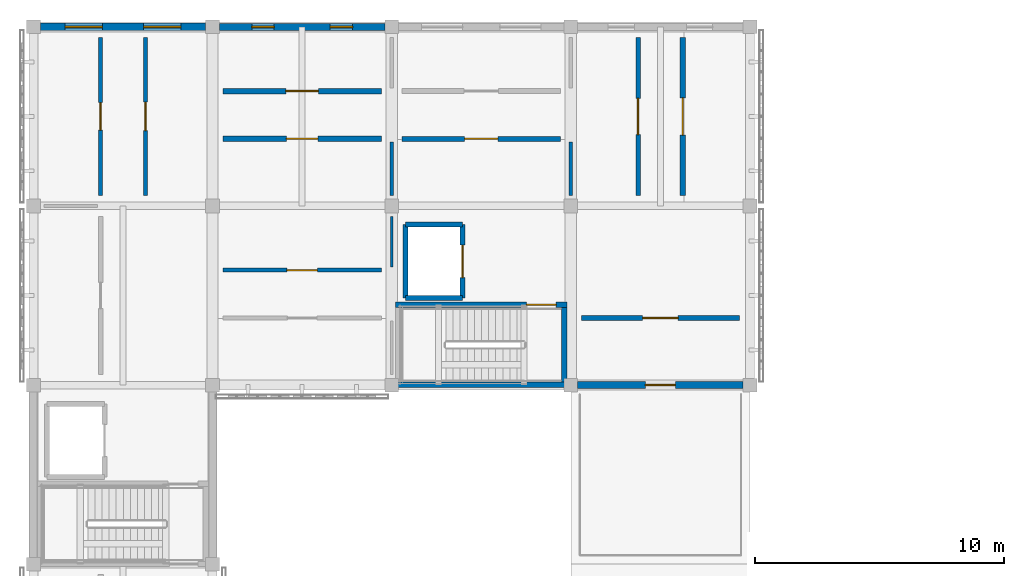
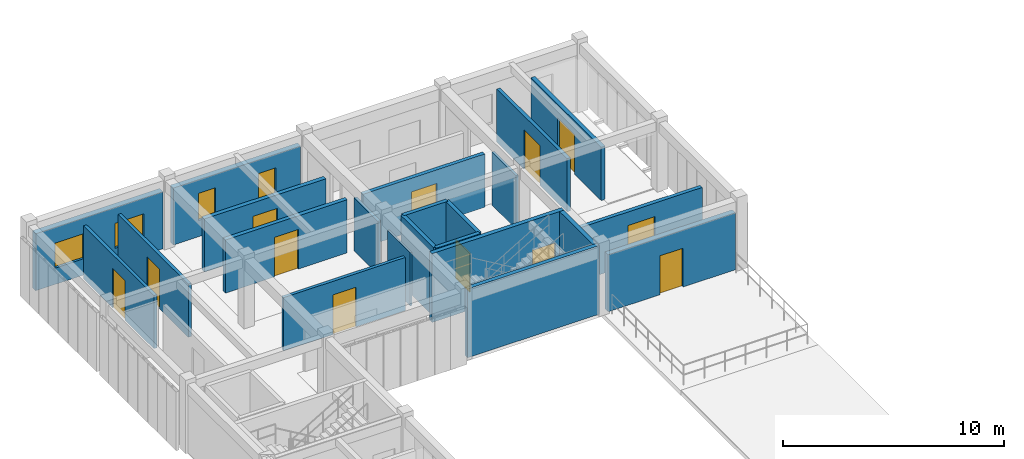
# One storey, part 24 of 33: 22 walls, 12 doors, 4 windows, 16 openings.
"""IFC4 building model written with IfcOpenShell, lengths in metres."""

from ifc_helpers import new_model, si_unit, direction, frame, frame_2d, origin, place, context, subcontext, project, spatial, rectangle, extrude, material, layer, layer_set, type_object, element, fill, save


model = new_model("IFC4")

# Units and contexts
model_context = context("Model", 3, precision=1e-05, world=origin(), true_north=direction((0.0, 1.0)))
body_context = subcontext(model_context, "Body", "Model", "MODEL_VIEW")
ifc_project = project(units=[si_unit("LENGTHUNIT", "METRE"), si_unit("AREAUNIT", "SQUARE_METRE"), si_unit("VOLUMEUNIT", "CUBIC_METRE"), si_unit("PLANEANGLEUNIT", "RADIAN"), si_unit("MASSUNIT", "GRAM", prefix="KILO")], contexts=[model_context])

# Site, building, storey
site_placement = place(None, origin())
site = spatial("IfcSite", under=ifc_project, at=site_placement, CompositionType="ELEMENT")
building_placement = place(site_placement, origin())
building = spatial("IfcBuilding", under=site, at=building_placement, Name="Aldebral Square Health Centre", CompositionType="ELEMENT")
storey_placement = place(building_placement, frame((0.0, 0.0, 17.550048828125)))
storey = spatial("IfcBuildingStorey", under=building, at=storey_placement, Name="L04", CompositionType="ELEMENT", Elevation=17.550048828125)

# Wall, openings, windows
ifc_material_1 = material(Name="Ochre mineral-rendered concrete C35/45 court wall", Category="concrete")
ifc_layer_1 = layer(ifc_material_1, 0.280029296875, Name="Ochre mineral-rendered concrete C35/45 court wall", Category="concrete")
ifc_layer_set_1 = layer_set([ifc_layer_1], Name="Ochre mineral-rendered concrete C35/45 court wall")
wall_type_1 = type_object("IfcWallType", Name="EW-OCH-280", PredefinedType="STANDARD", material=ifc_layer_set_1)
wall_1_placement = place(storey_placement, frame((14.125, 115.199951171875, 0.0), z_axis=(0.0, 0.0, 1.0), x_axis=(-1.0, 0.0, 0.0)))
wall_1 = element("IfcWall", 1, at=wall_1_placement, inside=storey, type_object=wall_type_1, Name="L04 V4 exterior wall L04-V4-01-15-N", PredefinedType="STANDARD", context=body_context, shape_type="SweptSolid", body=[
    extrude(rectangle(XDim=6.64990234375, YDim=0.280029296875, at=frame_2d((3.324951171875, 0.0))), origin(), (0.0, 0.0, 1.0), 3.14990234375),
])
opening_1_placement = place(wall_1_placement, frame((1.300048828125, 0.0, 0.89990234375)))
opening_1 = element("IfcOpeningElement", 2, at=opening_1_placement, cuts=wall_1, Name="Opening W19", PredefinedType="OPENING", context=body_context, shape_type="SweptSolid", body=[
    extrude(rectangle(XDim=0.89990234375, YDim=1.5, at=frame_2d((0.449951171875, 0.75))), frame((0.0, 0.14990234375, 0.0), z_axis=(0.0, -1.0, 0.0), x_axis=(1.0, 0.0, 0.0)), (0.0, 0.0, 1.0), 0.300048828125),
])
opening_2_placement = place(wall_1_placement, frame((4.449951171875, 0.0, 0.89990234375)))
opening_2 = element("IfcOpeningElement", 3, at=opening_2_placement, cuts=wall_1, Name="Opening W19", PredefinedType="OPENING", context=body_context, shape_type="SweptSolid", body=[
    extrude(rectangle(XDim=0.89990234375, YDim=1.5, at=frame_2d((0.449951171875, 0.75))), frame((0.0, 0.14990234375, 0.0), z_axis=(0.0, -1.0, 0.0), x_axis=(1.0, 0.0, 0.0)), (0.0, 0.0, 1.0), 0.300048828125),
])
ifc_material_2 = material(Name="Thermally broken aluminium and low-E glass", Category="aluminium")
window_type_1 = type_object("IfcWindowType", Name="WIN-W19", PartitioningType="SINGLE_PANEL", PredefinedType="WINDOW", material=ifc_material_2)
window_1_placement = place(opening_1_placement, origin())
window_1 = element("IfcWindow", 4, at=window_1_placement, inside=storey, type_object=window_type_1, Name="L04 clinical window L04-V4-01-15-N.1", OverallHeight=1.5, OverallWidth=0.89990234375, PartitioningType="SINGLE_PANEL", PredefinedType="WINDOW", context=body_context, shape_type="SweptSolid", body=[
    extrude(rectangle(XDim=0.89990234375, YDim=1.5, at=frame_2d((0.449951171875, 0.75))), frame((0.0, 0.030029296875, 0.0), z_axis=(0.0, -1.0, 0.0), x_axis=(1.0, 0.0, 0.0)), (0.0, 0.0, 1.0), 0.06005859375),
])
fill(opening_1, window_1)
window_2_placement = place(opening_2_placement, origin())
window_2 = element("IfcWindow", 5, at=window_2_placement, inside=storey, type_object=window_type_1, Name="L04 clinical window L04-V4-01-15-N.2", OverallHeight=1.5, OverallWidth=0.89990234375, PartitioningType="SINGLE_PANEL", PredefinedType="WINDOW", context=body_context, shape_type="SweptSolid", body=[
    extrude(rectangle(XDim=0.89990234375, YDim=1.5, at=frame_2d((0.449951171875, 0.75))), frame((0.0, 0.030029296875, 0.0), z_axis=(0.0, -1.0, 0.0), x_axis=(1.0, 0.0, 0.0)), (0.0, 0.0, 1.0), 0.06005859375),
])
fill(opening_2, window_2)

# Wall, opening, door
wall_2_placement = place(storey_placement, frame((21.875, 100.800048828125, 0.0), z_axis=(0.0, 0.0, 1.0), x_axis=(1.0, 0.0, 0.0)))
wall_2 = element("IfcWall", 6, at=wall_2_placement, inside=storey, type_object=wall_type_1, Name="L04 V4 exterior wall L04-V4-03-14-S", PredefinedType="STANDARD", context=body_context, shape_type="SweptSolid", body=[
    extrude(rectangle(XDim=6.64990234375, YDim=0.280029296875, at=frame_2d((3.324951171875, 0.0))), origin(), (0.0, 0.0, 1.0), 3.14990234375),
])
opening_3_placement = place(wall_2_placement, frame((2.72509765625, 0.0, 0.0)))
opening_3 = element("IfcOpeningElement", 7, at=opening_3_placement, cuts=wall_2, Name="Opening D-TER402", PredefinedType="OPENING", context=body_context, shape_type="SweptSolid", body=[
    extrude(rectangle(XDim=1.199951171875, YDim=2.14990234375, at=frame_2d((0.60009765625, 1.074951171875))), frame((0.0, 0.14990234375, 0.0), z_axis=(0.0, -1.0, 0.0), x_axis=(1.0, 0.0, 0.0)), (0.0, 0.0, 1.0), 0.300048828125),
])
ifc_material_3 = material(Name="Anodised aluminium and laminated safety glass", Category="aluminium")
door_type_1 = type_object("IfcDoorType", Name="DR-TER-120", OperationType="NOTDEFINED", PredefinedType="DOOR", material=ifc_material_3)
door_1_placement = place(opening_3_placement, origin())
door_1 = element("IfcDoor", 8, at=door_1_placement, inside=storey, type_object=door_type_1, Name="L04 exterior door D-TER402", OperationType="SINGLE_SWING_LEFT", OverallHeight=2.14990234375, OverallWidth=1.199951171875, PredefinedType="DOOR", context=body_context, shape_type="SweptSolid", body=[
    extrude(rectangle(XDim=1.199951171875, YDim=2.14990234375, at=frame_2d((0.60009765625, 1.074951171875))), frame((0.0, 0.02490234375, 0.0), z_axis=(0.0, -1.0, 0.0), x_axis=(1.0, 0.0, 0.0)), (0.0, 0.0, 1.0), 0.050048828125),
])
fill(opening_3, door_1)

# Wall, openings, windows
ifc_material_4 = material(Name="Precast concrete C40/50 insulated panel", Category="concrete")
ifc_layer_2 = layer(ifc_material_4, 0.300048828125, Name="Precast concrete C40/50 insulated panel", Category="concrete")
ifc_layer_set_2 = layer_set([ifc_layer_2], Name="Precast concrete C40/50 insulated panel")
wall_type_2 = type_object("IfcWallType", Name="EW-PRE-300", PredefinedType="STANDARD", material=ifc_layer_set_2)
wall_3_placement = place(storey_placement, frame((6.925048828125, 115.199951171875, 0.0), z_axis=(0.0, 0.0, 1.0), x_axis=(-1.0, 0.0, 0.0)))
wall_3 = element("IfcWall", 9, at=wall_3_placement, inside=storey, type_object=wall_type_2, Name="L04 V4 exterior wall L04-V4-00-15-N", PredefinedType="STANDARD", context=body_context, shape_type="SweptSolid", body=[
    extrude(rectangle(XDim=6.650146484375, YDim=0.300048828125, at=frame_2d((3.3251953125, 0.0))), origin(), (0.0, 0.0, 1.0), 3.14990234375),
])
opening_4_placement = place(wall_3_placement, frame((1.0, 0.0, 0.89990234375)))
opening_4 = element("IfcOpeningElement", 10, at=opening_4_placement, cuts=wall_3, Name="Opening W14", PredefinedType="OPENING", context=body_context, shape_type="SweptSolid", body=[
    extrude(rectangle(XDim=1.5, YDim=1.3798828125, at=frame_2d((0.75, 0.68994140625))), frame((0.0, 0.16015625, 0.0), z_axis=(0.0, -1.0, 0.0), x_axis=(1.0, 0.0, 0.0)), (0.0, 0.0, 1.0), 0.320068359375),
])
opening_5_placement = place(wall_3_placement, frame((4.14990234375, 0.0, 0.89990234375)))
opening_5 = element("IfcOpeningElement", 11, at=opening_5_placement, cuts=wall_3, Name="Opening W14", PredefinedType="OPENING", context=body_context, shape_type="SweptSolid", body=[
    extrude(rectangle(XDim=1.5, YDim=1.3798828125, at=frame_2d((0.75, 0.68994140625))), frame((0.0, 0.16015625, 0.0), z_axis=(0.0, -1.0, 0.0), x_axis=(1.0, 0.0, 0.0)), (0.0, 0.0, 1.0), 0.320068359375),
])
window_type_2 = type_object("IfcWindowType", Name="WIN-W14", PartitioningType="SINGLE_PANEL", PredefinedType="WINDOW", material=ifc_material_2)
window_3_placement = place(opening_4_placement, origin())
window_3 = element("IfcWindow", 12, at=window_3_placement, inside=storey, type_object=window_type_2, Name="L04 clinical window L04-V4-00-15-N.1", OverallHeight=1.3798828125, OverallWidth=1.5, PartitioningType="SINGLE_PANEL", PredefinedType="WINDOW", context=body_context, shape_type="SweptSolid", body=[
    extrude(rectangle(XDim=1.5, YDim=1.3798828125, at=frame_2d((0.75, 0.68994140625))), frame((0.0, 0.030029296875, 0.0), z_axis=(0.0, -1.0, 0.0), x_axis=(1.0, 0.0, 0.0)), (0.0, 0.0, 1.0), 0.06005859375),
])
fill(opening_4, window_3)
window_4_placement = place(opening_5_placement, origin())
window_4 = element("IfcWindow", 13, at=window_4_placement, inside=storey, type_object=window_type_2, Name="L04 clinical window L04-V4-00-15-N.2", OverallHeight=1.3798828125, OverallWidth=1.5, PartitioningType="SINGLE_PANEL", PredefinedType="WINDOW", context=body_context, shape_type="SweptSolid", body=[
    extrude(rectangle(XDim=1.5, YDim=1.3798828125, at=frame_2d((0.75, 0.68994140625))), frame((0.0, 0.030029296875, 0.0), z_axis=(0.0, -1.0, 0.0), x_axis=(1.0, 0.0, 0.0)), (0.0, 0.0, 1.0), 0.06005859375),
])
fill(opening_5, window_4)

# Wall, opening, door
ifc_material_5 = material(Name="Concrete C35/45 compartment wall", Category="concrete")
ifc_layer_3 = layer(ifc_material_5, 0.199951171875, Name="Concrete C35/45 compartment wall", Category="concrete")
ifc_layer_set_3 = layer_set([ifc_layer_3], Name="Concrete C35/45 compartment wall")
wall_type_3 = type_object("IfcWallType", Name="IW-CMP-200", PredefinedType="SOLIDWALL", material=ifc_layer_set_3)
wall_4_placement = place(storey_placement, frame((14.820068359375, 110.699951171875, 0.0), z_axis=(0.0, 0.0, 1.0), x_axis=(1.0, 0.0, 0.0)))
wall_4 = element("IfcWall", 14, at=wall_4_placement, inside=storey, type_object=wall_type_3, Name="L04 Neurology Consulting Suite 3.16S corridor wall", PredefinedType="SOLIDWALL", context=body_context, shape_type="SweptSolid", body=[
    extrude(rectangle(XDim=6.35986328125, YDim=0.199951171875, at=frame_2d((3.179931640625, 0.0))), origin(), (0.0, 0.0, 1.0), 2.93994140625),
])
opening_6_placement = place(wall_4_placement, frame((2.510009765625, 0.0, 0.0)))
opening_6 = element("IfcOpeningElement", 15, at=opening_6_placement, cuts=wall_4, Name="Opening D-0626", PredefinedType="OPENING", context=body_context, shape_type="SweptSolid", body=[
    extrude(rectangle(XDim=1.340087890625, YDim=2.18994140625, at=frame_2d((0.669921875, 1.094970703125))), frame((0.0, 0.10986328125, 0.0), z_axis=(0.0, -1.0, 0.0), x_axis=(1.0, 0.0, 0.0)), (0.0, 0.0, 1.0), 0.219970703125),
])
ifc_material_6 = material(Name="Clinical suite fire door")
door_type_2 = type_object("IfcDoorType", Name="ID-EXD-59", OperationType="NOTDEFINED", PredefinedType="DOOR", material=ifc_material_6)
door_2_placement = place(opening_6_placement, origin())
door_2 = element("IfcDoor", 16, at=door_2_placement, inside=storey, type_object=door_type_2, Name="L04 Neurology Consulting Suite 3.16S door", OperationType="SINGLE_SWING_LEFT", OverallHeight=2.18994140625, OverallWidth=1.340087890625, PredefinedType="DOOR", context=body_context, shape_type="SweptSolid", body=[
    extrude(rectangle(XDim=1.340087890625, YDim=2.18994140625, at=frame_2d((0.669921875, 1.094970703125))), frame((0.0, 0.02490234375, 0.0), z_axis=(0.0, -1.0, 0.0), x_axis=(1.0, 0.0, 0.0)), (0.0, 0.0, 1.0), 0.050048828125),
])
fill(opening_6, door_2)

wall_5_placement = place(storey_placement, frame((22.02001953125, 103.5, 0.0), z_axis=(0.0, 0.0, 1.0), x_axis=(1.0, 0.0, 0.0)))
wall_5 = element("IfcWall", 17, at=wall_5_placement, inside=storey, type_object=wall_type_3, Name="L04 Preventive Screening Room 4.15S corridor wall", PredefinedType="SOLIDWALL", context=body_context, shape_type="SweptSolid", body=[
    extrude(rectangle(XDim=6.35986328125, YDim=0.199951171875, at=frame_2d((3.179931640625, 0.0))), origin(), (0.0, 0.0, 1.0), 2.93994140625),
])
opening_7_placement = place(wall_5_placement, frame((2.469970703125, 0.0, 0.0)))
opening_7 = element("IfcOpeningElement", 18, at=opening_7_placement, cuts=wall_5, Name="Opening D-0628", PredefinedType="OPENING", context=body_context, shape_type="SweptSolid", body=[
    extrude(rectangle(XDim=1.419921875, YDim=2.18994140625, at=frame_2d((0.7099609375, 1.094970703125))), frame((0.0, 0.10986328125, 0.0), z_axis=(0.0, -1.0, 0.0), x_axis=(1.0, 0.0, 0.0)), (0.0, 0.0, 1.0), 0.219970703125),
])
door_type_3 = type_object("IfcDoorType", Name="ID-EXD-61", OperationType="NOTDEFINED", PredefinedType="DOOR", material=ifc_material_6)
door_3_placement = place(opening_7_placement, origin())
door_3 = element("IfcDoor", 19, at=door_3_placement, inside=storey, type_object=door_type_3, Name="L04 Preventive Screening Room 4.15S door", OperationType="SINGLE_SWING_LEFT", OverallHeight=2.18994140625, OverallWidth=1.419921875, PredefinedType="DOOR", context=body_context, shape_type="SweptSolid", body=[
    extrude(rectangle(XDim=1.419921875, YDim=2.18994140625, at=frame_2d((0.7099609375, 1.094970703125))), frame((0.0, 0.02490234375, 0.0), z_axis=(0.0, -1.0, 0.0), x_axis=(1.0, 0.0, 0.0)), (0.0, 0.0, 1.0), 0.050048828125),
])
fill(opening_7, door_3)

ifc_layer_4 = layer(ifc_material_5, 0.219970703125, Name="Concrete C35/45 compartment wall", Category="concrete")
ifc_layer_set_4 = layer_set([ifc_layer_4], Name="Concrete C35/45 compartment wall")
wall_type_4 = type_object("IfcWallType", Name="IW-CMP-220", PredefinedType="SOLIDWALL", material=ifc_layer_set_4)
wall_6_placement = place(storey_placement, frame((7.6201171875, 112.6201171875, 0.0), z_axis=(0.0, 0.0, 1.0), x_axis=(1.0, 0.0, 0.0)))
wall_6 = element("IfcWall", 20, at=wall_6_placement, inside=storey, type_object=wall_type_4, Name="L04 Specialist Clinic 2.16N corridor wall", PredefinedType="SOLIDWALL", context=body_context, shape_type="SweptSolid", body=[
    extrude(rectangle(XDim=6.35986328125, YDim=0.219970703125, at=frame_2d((3.179931640625, 0.0))), origin(), (0.0, 0.0, 1.0), 2.93994140625),
])
opening_8_placement = place(wall_6_placement, frame((2.530029296875, 0.0, 0.0)))
opening_8 = element("IfcOpeningElement", 21, at=opening_8_placement, cuts=wall_6, Name="Opening D-0625", PredefinedType="OPENING", context=body_context, shape_type="SweptSolid", body=[
    extrude(rectangle(XDim=1.300048828125, YDim=2.18994140625, at=frame_2d((0.64990234375, 1.094970703125))), frame((0.0, 0.1201171875, 0.0), z_axis=(0.0, -1.0, 0.0), x_axis=(1.0, 0.0, 0.0)), (0.0, 0.0, 1.0), 0.239990234375),
])
door_type_4 = type_object("IfcDoorType", Name="ID-EXD-58", OperationType="NOTDEFINED", PredefinedType="DOOR", material=ifc_material_6)
door_4_placement = place(opening_8_placement, origin())
door_4 = element("IfcDoor", 22, at=door_4_placement, inside=storey, type_object=door_type_4, Name="L04 Specialist Clinic 2.16N door", OperationType="SINGLE_SWING_RIGHT", OverallHeight=2.18994140625, OverallWidth=1.300048828125, PredefinedType="DOOR", context=body_context, shape_type="SweptSolid", body=[
    extrude(rectangle(XDim=1.300048828125, YDim=2.18994140625, at=frame_2d((0.64990234375, 1.094970703125))), frame((0.0, 0.02490234375, 0.0), z_axis=(0.0, -1.0, 0.0), x_axis=(1.0, 0.0, 0.0)), (0.0, 0.0, 1.0), 0.050048828125),
])
fill(opening_8, door_4)

ifc_material_7 = material(Name="Fire-rated acoustic gypsum partition")
ifc_layer_5 = layer(ifc_material_7, 0.1650390625, Name="Fire-rated acoustic gypsum partition")
ifc_layer_set_5 = layer_set([ifc_layer_5], Name="Fire-rated acoustic gypsum partition")
wall_type_5 = type_object("IfcWallType", Name="IW-COR-165", PredefinedType="PARTITIONING", material=ifc_layer_set_5)
wall_7_placement = place(storey_placement, frame((2.699951171875, 108.419921875, 0.0), z_axis=(0.0, 0.0, 1.0), x_axis=(0.0, 1.0, 0.0)))
wall_7 = element("IfcWall", 23, at=wall_7_placement, inside=storey, type_object=wall_type_5, Name="L04 Neurology Consulting Suite 1.16W corridor wall", PredefinedType="PARTITIONING", context=body_context, shape_type="SweptSolid", body=[
    extrude(rectangle(XDim=6.360107421875, YDim=0.1650390625, at=frame_2d((3.18017578125, 0.0))), origin(), (0.0, 0.0, 1.0), 2.93994140625),
])
opening_9_placement = place(wall_7_placement, frame((2.6298828125, 0.0, 0.0)))
opening_9 = element("IfcOpeningElement", 24, at=opening_9_placement, cuts=wall_7, Name="Opening D-0620", PredefinedType="OPENING", context=body_context, shape_type="SweptSolid", body=[
    extrude(rectangle(XDim=1.10009765625, YDim=2.18994140625, at=frame_2d((0.550048828125, 1.094970703125))), frame((0.0, 0.092529296875, 0.0), z_axis=(0.0, -1.0, 0.0), x_axis=(1.0, 0.0, 0.0)), (0.0, 0.0, 1.0), 0.18505859375),
])
door_type_5 = type_object("IfcDoorType", Name="ID-EXD-53", OperationType="NOTDEFINED", PredefinedType="DOOR", material=ifc_material_6)
door_5_placement = place(opening_9_placement, origin())
door_5 = element("IfcDoor", 25, at=door_5_placement, inside=storey, type_object=door_type_5, Name="L04 Neurology Consulting Suite 1.16W door", OperationType="SINGLE_SWING_LEFT", OverallHeight=2.18994140625, OverallWidth=1.10009765625, PredefinedType="DOOR", context=body_context, shape_type="SweptSolid", body=[
    extrude(rectangle(XDim=1.10009765625, YDim=2.18994140625, at=frame_2d((0.550048828125, 1.094970703125))), frame((0.0, 0.02490234375, 0.0), z_axis=(0.0, -1.0, 0.0), x_axis=(1.0, 0.0, 0.0)), (0.0, 0.0, 1.0), 0.050048828125),
])
fill(opening_9, door_5)

wall_8_placement = place(storey_placement, frame((4.5, 108.419921875, 0.0), z_axis=(0.0, 0.0, 1.0), x_axis=(0.0, 1.0, 0.0)))
wall_8 = element("IfcWall", 26, at=wall_8_placement, inside=storey, type_object=wall_type_5, Name="L04 Rheumatology Exam Room 1.16E corridor wall", PredefinedType="PARTITIONING", context=body_context, shape_type="SweptSolid", body=[
    extrude(rectangle(XDim=6.360107421875, YDim=0.1650390625, at=frame_2d((3.18017578125, 0.0))), origin(), (0.0, 0.0, 1.0), 2.93994140625),
])
opening_10_placement = place(wall_8_placement, frame((2.610107421875, 0.0, 0.0)))
opening_10 = element("IfcOpeningElement", 27, at=opening_10_placement, cuts=wall_8, Name="Opening D-0621", PredefinedType="OPENING", context=body_context, shape_type="SweptSolid", body=[
    extrude(rectangle(XDim=1.139892578125, YDim=2.18994140625, at=frame_2d((0.56982421875, 1.094970703125))), frame((0.0, 0.092529296875, 0.0), z_axis=(0.0, -1.0, 0.0), x_axis=(1.0, 0.0, 0.0)), (0.0, 0.0, 1.0), 0.18505859375),
])
door_type_6 = type_object("IfcDoorType", Name="ID-EXD-54", OperationType="NOTDEFINED", PredefinedType="DOOR", material=ifc_material_6)
door_6_placement = place(opening_10_placement, origin())
door_6 = element("IfcDoor", 28, at=door_6_placement, inside=storey, type_object=door_type_6, Name="L04 Rheumatology Exam Room 1.16E door", OperationType="SINGLE_SWING_RIGHT", OverallHeight=2.18994140625, OverallWidth=1.139892578125, PredefinedType="DOOR", context=body_context, shape_type="SweptSolid", body=[
    extrude(rectangle(XDim=1.139892578125, YDim=2.18994140625, at=frame_2d((0.56982421875, 1.094970703125))), frame((0.0, 0.02490234375, 0.0), z_axis=(0.0, -1.0, 0.0), x_axis=(1.0, 0.0, 0.0)), (0.0, 0.0, 1.0), 0.050048828125),
])
fill(opening_10, door_6)

wall_9_placement = place(storey_placement, frame((7.6201171875, 105.419921875, 0.0), z_axis=(0.0, 0.0, 1.0), x_axis=(1.0, 0.0, 0.0)))
wall_9 = element("IfcWall", 29, at=wall_9_placement, inside=storey, type_object=wall_type_5, Name="L04 Clinical Store 2.15N corridor wall", PredefinedType="PARTITIONING", context=body_context, shape_type="SweptSolid", body=[
    extrude(rectangle(XDim=6.35986328125, YDim=0.1650390625, at=frame_2d((3.179931640625, 0.0))), origin(), (0.0, 0.0, 1.0), 2.93994140625),
])
opening_11_placement = place(wall_9_placement, frame((2.570068359375, 0.0, 0.0)))
opening_11 = element("IfcOpeningElement", 30, at=opening_11_placement, cuts=wall_9, Name="Opening D-0623", PredefinedType="OPENING", context=body_context, shape_type="SweptSolid", body=[
    extrude(rectangle(XDim=1.219970703125, YDim=2.18994140625, at=frame_2d((0.60986328125, 1.094970703125))), frame((0.0, 0.092529296875, 0.0), z_axis=(0.0, -1.0, 0.0), x_axis=(1.0, 0.0, 0.0)), (0.0, 0.0, 1.0), 0.18505859375),
])
door_type_7 = type_object("IfcDoorType", Name="ID-EXD-56", OperationType="NOTDEFINED", PredefinedType="DOOR", material=ifc_material_6)
door_7_placement = place(opening_11_placement, origin())
door_7 = element("IfcDoor", 31, at=door_7_placement, inside=storey, type_object=door_type_7, Name="L04 Clinical Store 2.15N door", OperationType="SINGLE_SWING_RIGHT", OverallHeight=2.18994140625, OverallWidth=1.219970703125, PredefinedType="DOOR", context=body_context, shape_type="SweptSolid", body=[
    extrude(rectangle(XDim=1.219970703125, YDim=2.18994140625, at=frame_2d((0.60986328125, 1.094970703125))), frame((0.0, 0.02490234375, 0.0), z_axis=(0.0, -1.0, 0.0), x_axis=(1.0, 0.0, 0.0)), (0.0, 0.0, 1.0), 0.050048828125),
])
fill(opening_11, door_7)

ifc_layer_6 = layer(ifc_material_7, 0.179931640625, Name="Fire-rated acoustic gypsum partition")
ifc_layer_set_6 = layer_set([ifc_layer_6], Name="Fire-rated acoustic gypsum partition")
wall_type_6 = type_object("IfcWallType", Name="IW-COR-180", PredefinedType="PARTITIONING", material=ifc_layer_set_6)
wall_10_placement = place(storey_placement, frame((24.300048828125, 108.419921875, 0.0), z_axis=(0.0, 0.0, 1.0), x_axis=(0.0, 1.0, 0.0)))
wall_10 = element("IfcWall", 32, at=wall_10_placement, inside=storey, type_object=wall_type_6, Name="L04 Clinical Store 4.16W corridor wall", PredefinedType="PARTITIONING", context=body_context, shape_type="SweptSolid", body=[
    extrude(rectangle(XDim=6.360107421875, YDim=0.179931640625, at=frame_2d((3.18017578125, 0.0))), origin(), (0.0, 0.0, 1.0), 2.93994140625),
])
opening_12_placement = place(wall_10_placement, frame((2.449951171875, 0.0, 0.0)))
opening_12 = element("IfcOpeningElement", 33, at=opening_12_placement, cuts=wall_10, Name="Opening D-0629", PredefinedType="OPENING", context=body_context, shape_type="SweptSolid", body=[
    extrude(rectangle(XDim=1.4599609375, YDim=2.18994140625, at=frame_2d((0.72998046875, 1.094970703125))), frame((0.0, 0.10009765625, 0.0), z_axis=(0.0, -1.0, 0.0), x_axis=(1.0, 0.0, 0.0)), (0.0, 0.0, 1.0), 0.199951171875),
])
door_type_8 = type_object("IfcDoorType", Name="ID-EXD-62", OperationType="NOTDEFINED", PredefinedType="DOOR", material=ifc_material_6)
door_8_placement = place(opening_12_placement, origin())
door_8 = element("IfcDoor", 34, at=door_8_placement, inside=storey, type_object=door_type_8, Name="L04 Clinical Store 4.16W door", OperationType="SINGLE_SWING_RIGHT", OverallHeight=2.18994140625, OverallWidth=1.4599609375, PredefinedType="DOOR", context=body_context, shape_type="SweptSolid", body=[
    extrude(rectangle(XDim=1.4599609375, YDim=2.18994140625, at=frame_2d((0.72998046875, 1.094970703125))), frame((0.0, 0.02490234375, 0.0), z_axis=(0.0, -1.0, 0.0), x_axis=(1.0, 0.0, 0.0)), (0.0, 0.0, 1.0), 0.050048828125),
])
fill(opening_12, door_8)

# Wall
ifc_material_8 = material(Name="Concrete C40/50", Category="concrete")
ifc_layer_7 = layer(ifc_material_8, 0.219970703125, Name="Concrete C40/50", Category="concrete")
ifc_layer_set_7 = layer_set([ifc_layer_7], Name="Concrete C40/50")
wall_type_7 = type_object("IfcWallType", Name="IW-CORE-280", PredefinedType="SHEAR", material=ifc_layer_set_7)
wall_11_placement = place(storey_placement, frame((14.56005859375, 100.81005859375, 0.0), z_axis=(0.0, 0.0, 1.0), x_axis=(1.0, 0.0, 0.0)))
element("IfcWall", 35, at=wall_11_placement, inside=storey, type_object=wall_type_7, Name="L04 WC-C2 shaft wall S", PredefinedType="SHEAR", context=body_context, shape_type="SweptSolid", body=[
    extrude(rectangle(XDim=6.8798828125, YDim=0.219970703125, at=frame_2d((3.43994140625, 0.0))), origin(), (0.0, 0.0, 1.0), 3.800048828125),
])

# Wall, opening, door
wall_12_placement = place(storey_placement, frame((14.56005859375, 104.030029296875, 0.0), z_axis=(0.0, 0.0, 1.0), x_axis=(1.0, 0.0, 0.0)))
wall_12 = element("IfcWall", 36, at=wall_12_placement, inside=storey, type_object=wall_type_7, Name="L04 WC-C2 shaft wall N", PredefinedType="SHEAR", context=body_context, shape_type="SweptSolid", body=[
    extrude(rectangle(XDim=6.8798828125, YDim=0.219970703125, at=frame_2d((3.43994140625, 0.0))), origin(), (0.0, 0.0, 1.0), 3.800048828125),
])
opening_13_placement = place(wall_12_placement, frame((5.25, 0.0, 0.0)))
opening_13 = element("IfcOpeningElement", 37, at=opening_13_placement, cuts=wall_12, Name="Opening D-0027", PredefinedType="OPENING", context=body_context, shape_type="SweptSolid", body=[
    extrude(rectangle(XDim=1.199951171875, YDim=2.14990234375, at=frame_2d((0.60009765625, 1.074951171875))), frame((0.0, 0.1201171875, 0.0), z_axis=(0.0, -1.0, 0.0), x_axis=(1.0, 0.0, 0.0)), (0.0, 0.0, 1.0), 0.239990234375),
])
ifc_material_9 = material(Name="Fire-rated steel stair door", Category="steel")
door_type_9 = type_object("IfcDoorType", Name="ID-ST-120", OperationType="NOTDEFINED", PredefinedType="DOOR", material=ifc_material_9)
door_9_placement = place(opening_13_placement, origin())
door_9 = element("IfcDoor", 38, at=door_9_placement, inside=storey, type_object=door_type_9, Name="L04 ST-02 fire door", OperationType="SINGLE_SWING_RIGHT", OverallHeight=2.14990234375, OverallWidth=1.199951171875, PredefinedType="DOOR", context=body_context, shape_type="SweptSolid", body=[
    extrude(rectangle(XDim=1.199951171875, YDim=2.14990234375, at=frame_2d((0.60009765625, 1.074951171875))), frame((0.0, 0.02490234375, 0.0), z_axis=(0.0, -1.0, 0.0), x_axis=(1.0, 0.0, 0.0)), (0.0, 0.0, 1.0), 0.050048828125),
])
fill(opening_13, door_9)

# Walls
wall_13_placement = place(storey_placement, frame((21.330078125, 100.919921875, 0.0), z_axis=(0.0, 0.0, 1.0), x_axis=(0.0, 1.0, 0.0)))
element("IfcWall", 39, at=wall_13_placement, inside=storey, type_object=wall_type_7, Name="L04 WC-C2 shaft wall E", PredefinedType="SHEAR", context=body_context, shape_type="SweptSolid", body=[
    extrude(rectangle(XDim=3.0, YDim=0.219970703125, at=frame_2d((1.5, 0.0))), origin(), (0.0, 0.0, 1.0), 3.800048828125),
])
ifc_layer_8 = layer(ifc_material_8, 0.199951171875, Name="Concrete C40/50", Category="concrete")
ifc_layer_set_8 = layer_set([ifc_layer_8], Name="Concrete C40/50")
wall_type_8 = type_object("IfcWallType", Name="IW-LFT-250", PredefinedType="SHEAR", material=ifc_layer_set_8)
wall_14_placement = place(storey_placement, frame((14.949951171875, 104.300048828125, 0.0), z_axis=(0.0, 0.0, 1.0), x_axis=(1.0, 0.0, 0.0)))
element("IfcWall", 40, at=wall_14_placement, inside=storey, type_object=wall_type_8, Name="L04 LF-02 shaft wall S", PredefinedType="SHEAR", context=body_context, shape_type="SweptSolid", body=[
    extrude(rectangle(XDim=2.300048828125, YDim=0.199951171875, at=frame_2d((1.14990234375, 0.0))), origin(), (0.0, 0.0, 1.0), 3.800048828125),
])
wall_15_placement = place(storey_placement, frame((14.949951171875, 104.300048828125, 0.0), z_axis=(0.0, 0.0, 1.0), x_axis=(0.0, 1.0, 0.0)))
element("IfcWall", 41, at=wall_15_placement, inside=storey, type_object=wall_type_8, Name="L04 LF-02 shaft wall W", PredefinedType="SHEAR", context=body_context, shape_type="SweptSolid", body=[
    extrude(rectangle(XDim=2.949951171875, YDim=0.199951171875, at=frame_2d((1.47509765625, 0.0))), origin(), (0.0, 0.0, 1.0), 3.800048828125),
])
wall_16_placement = place(storey_placement, frame((14.949951171875, 107.25, 0.0), z_axis=(0.0, 0.0, 1.0), x_axis=(1.0, 0.0, 0.0)))
element("IfcWall", 42, at=wall_16_placement, inside=storey, type_object=wall_type_8, Name="L04 LF-02 shaft wall N", PredefinedType="SHEAR", context=body_context, shape_type="SweptSolid", body=[
    extrude(rectangle(XDim=2.300048828125, YDim=0.199951171875, at=frame_2d((1.14990234375, 0.0))), origin(), (0.0, 0.0, 1.0), 3.800048828125),
])

# Wall, opening, door
wall_17_placement = place(storey_placement, frame((17.25, 104.300048828125, 0.0), z_axis=(0.0, 0.0, 1.0), x_axis=(0.0, 1.0, 0.0)))
wall_17 = element("IfcWall", 43, at=wall_17_placement, inside=storey, type_object=wall_type_8, Name="L04 LF-02 landing wall", PredefinedType="SHEAR", context=body_context, shape_type="SweptSolid", body=[
    extrude(rectangle(XDim=2.949951171875, YDim=0.199951171875, at=frame_2d((1.47509765625, 0.0))), origin(), (0.0, 0.0, 1.0), 3.800048828125),
])
opening_14_placement = place(wall_17_placement, frame((0.824951171875, 0.0, 0.0)))
opening_14 = element("IfcOpeningElement", 44, at=opening_14_placement, cuts=wall_17, Name="Opening D-0028", PredefinedType="OPENING", context=body_context, shape_type="SweptSolid", body=[
    extrude(rectangle(XDim=1.300048828125, YDim=2.14990234375, at=frame_2d((0.64990234375, 1.074951171875))), frame((0.0, 0.10986328125, 0.0), z_axis=(0.0, -1.0, 0.0), x_axis=(1.0, 0.0, 0.0)), (0.0, 0.0, 1.0), 0.219970703125),
])
ifc_material_10 = material(Name="Stainless steel stretcher lift landing door", Category="steel")
door_type_10 = type_object("IfcDoorType", Name="ID-LD-130", OperationType="SLIDING_TO_LEFT", PredefinedType="DOOR", material=ifc_material_10)
door_10_placement = place(opening_14_placement, origin())
door_10 = element("IfcDoor", 45, at=door_10_placement, inside=storey, type_object=door_type_10, Name="L04 LF-02 sliding landing door", OperationType="SLIDING_TO_LEFT", OverallHeight=2.14990234375, OverallWidth=1.300048828125, PredefinedType="DOOR", context=body_context, shape_type="SweptSolid", body=[
    extrude(rectangle(XDim=1.300048828125, YDim=2.14990234375, at=frame_2d((0.64990234375, 1.074951171875))), frame((0.0, 0.02490234375, 0.0), z_axis=(0.0, -1.0, 0.0), x_axis=(1.0, 0.0, 0.0)), (0.0, 0.0, 1.0), 0.050048828125),
])
fill(opening_14, door_10)

ifc_material_11 = material(Name="Moisture-resistant sanitary chase wall")
ifc_layer_9 = layer(ifc_material_11, 0.2099609375, Name="Moisture-resistant sanitary chase wall")
ifc_layer_set_9 = layer_set([ifc_layer_9], Name="Moisture-resistant sanitary chase wall")
wall_type_9 = type_object("IfcWallType", Name="IW-PLB-210", PredefinedType="PLUMBINGWALL", material=ifc_layer_set_9)
wall_18_placement = place(storey_placement, frame((7.6201171875, 110.699951171875, 0.0), z_axis=(0.0, 0.0, 1.0), x_axis=(1.0, 0.0, 0.0)))
wall_18 = element("IfcWall", 46, at=wall_18_placement, inside=storey, type_object=wall_type_9, Name="L04 Accessible WC 2.16S corridor wall", PredefinedType="PLUMBINGWALL", context=body_context, shape_type="SweptSolid", body=[
    extrude(rectangle(XDim=6.35986328125, YDim=0.2099609375, at=frame_2d((3.179931640625, 0.0))), origin(), (0.0, 0.0, 1.0), 2.93994140625),
])
opening_15_placement = place(wall_18_placement, frame((2.550048828125, 0.0, 0.0)))
opening_15 = element("IfcOpeningElement", 47, at=opening_15_placement, cuts=wall_18, Name="Opening D-0624", PredefinedType="OPENING", context=body_context, shape_type="SweptSolid", body=[
    extrude(rectangle(XDim=1.260009765625, YDim=2.18994140625, at=frame_2d((0.6298828125, 1.094970703125))), frame((0.0, 0.114990234375, 0.0), z_axis=(0.0, -1.0, 0.0), x_axis=(1.0, 0.0, 0.0)), (0.0, 0.0, 1.0), 0.22998046875),
])
door_type_11 = type_object("IfcDoorType", Name="ID-EXD-57", OperationType="NOTDEFINED", PredefinedType="DOOR", material=ifc_material_6)
door_11_placement = place(opening_15_placement, origin())
door_11 = element("IfcDoor", 48, at=door_11_placement, inside=storey, type_object=door_type_11, Name="L04 Accessible WC 2.16S door", OperationType="SINGLE_SWING_LEFT", OverallHeight=2.18994140625, OverallWidth=1.260009765625, PredefinedType="DOOR", context=body_context, shape_type="SweptSolid", body=[
    extrude(rectangle(XDim=1.260009765625, YDim=2.18994140625, at=frame_2d((0.6298828125, 1.094970703125))), frame((0.0, 0.02490234375, 0.0), z_axis=(0.0, -1.0, 0.0), x_axis=(1.0, 0.0, 0.0)), (0.0, 0.0, 1.0), 0.050048828125),
])
fill(opening_15, door_11)

wall_19_placement = place(storey_placement, frame((26.10009765625, 108.419921875, 0.0), z_axis=(0.0, 0.0, 1.0), x_axis=(0.0, 1.0, 0.0)))
wall_19 = element("IfcWall", 49, at=wall_19_placement, inside=storey, type_object=wall_type_9, Name="L04 Accessible WC 4.16E corridor wall", PredefinedType="PLUMBINGWALL", context=body_context, shape_type="SweptSolid", body=[
    extrude(rectangle(XDim=6.360107421875, YDim=0.2099609375, at=frame_2d((3.18017578125, 0.0))), origin(), (0.0, 0.0, 1.0), 2.93994140625),
])
opening_16_placement = place(wall_19_placement, frame((2.429931640625, 0.0, 0.0)))
opening_16 = element("IfcOpeningElement", 50, at=opening_16_placement, cuts=wall_19, Name="Opening D-0630", PredefinedType="OPENING", context=body_context, shape_type="SweptSolid", body=[
    extrude(rectangle(XDim=1.5, YDim=2.18994140625, at=frame_2d((0.75, 1.094970703125))), frame((0.0, 0.114990234375, 0.0), z_axis=(0.0, -1.0, 0.0), x_axis=(1.0, 0.0, 0.0)), (0.0, 0.0, 1.0), 0.22998046875),
])
door_type_12 = type_object("IfcDoorType", Name="ID-EXD-63", OperationType="NOTDEFINED", PredefinedType="DOOR", material=ifc_material_6)
door_12_placement = place(opening_16_placement, origin())
door_12 = element("IfcDoor", 51, at=door_12_placement, inside=storey, type_object=door_type_12, Name="L04 Accessible WC 4.16E door", OperationType="SINGLE_SWING_LEFT", OverallHeight=2.18994140625, OverallWidth=1.5, PredefinedType="DOOR", context=body_context, shape_type="SweptSolid", body=[
    extrude(rectangle(XDim=1.5, YDim=2.18994140625, at=frame_2d((0.75, 1.094970703125))), frame((0.0, 0.02490234375, 0.0), z_axis=(0.0, -1.0, 0.0), x_axis=(1.0, 0.0, 0.0)), (0.0, 0.0, 1.0), 0.050048828125),
])
fill(opening_16, door_12)

# Walls
ifc_material_12 = material(Name="Lightweight clinical partition")
ifc_layer_10 = layer(ifc_material_12, 0.10498046875, Name="Lightweight clinical partition")
ifc_layer_set_10 = layer_set([ifc_layer_10], Name="Lightweight clinical partition")
wall_type_10 = type_object("IfcWallType", Name="IW-PRT-105", PredefinedType="PARTITIONING", material=ifc_layer_set_10)
wall_20_placement = place(storey_placement, frame((14.39990234375, 105.5400390625, 0.0), z_axis=(0.0, 0.0, 1.0), x_axis=(0.0, 1.0, 0.0)))
element("IfcWall", 52, at=wall_20_placement, inside=storey, type_object=wall_type_10, Name="L04 Clinical Store 2.15N demising partition", PredefinedType="PARTITIONING", context=body_context, shape_type="SweptSolid", body=[
    extrude(rectangle(XDim=2.0400390625, YDim=0.10498046875, at=frame_2d((1.02001953125, 0.0))), origin(), (0.0, 0.0, 1.0), 2.93994140625),
])
ifc_material_13 = material(Name="Acoustic clinical gypsum partition")
ifc_layer_11 = layer(ifc_material_13, 0.135009765625, Name="Acoustic clinical gypsum partition")
ifc_layer_set_11 = layer_set([ifc_layer_11], Name="Acoustic clinical gypsum partition")
wall_type_11 = type_object("IfcWallType", Name="IW-PRT-135", PredefinedType="PARTITIONING", material=ifc_layer_set_11)
wall_21_placement = place(storey_placement, frame((21.60009765625, 108.419921875, 0.0), z_axis=(0.0, 0.0, 1.0), x_axis=(0.0, 1.0, 0.0)))
element("IfcWall", 53, at=wall_21_placement, inside=storey, type_object=wall_type_11, Name="L04 Neurology Consulting Suite 3.16S demising partition", PredefinedType="PARTITIONING", context=body_context, shape_type="SweptSolid", body=[
    extrude(rectangle(XDim=2.16015625, YDim=0.135009765625, at=frame_2d((1.080078125, 0.0))), origin(), (0.0, 0.0, 1.0), 2.93994140625),
])
ifc_layer_12 = layer(ifc_material_13, 0.14990234375, Name="Acoustic clinical gypsum partition")
ifc_layer_set_12 = layer_set([ifc_layer_12], Name="Acoustic clinical gypsum partition")
wall_type_12 = type_object("IfcWallType", Name="IW-PRT-150", PredefinedType="PARTITIONING", material=ifc_layer_set_12)
wall_22_placement = place(storey_placement, frame((14.39990234375, 108.419921875, 0.0), z_axis=(0.0, 0.0, 1.0), x_axis=(0.0, 1.0, 0.0)))
element("IfcWall", 54, at=wall_22_placement, inside=storey, type_object=wall_type_12, Name="L04 Accessible WC 2.16S demising partition", PredefinedType="PARTITIONING", context=body_context, shape_type="SweptSolid", body=[
    extrude(rectangle(XDim=2.16015625, YDim=0.14990234375, at=frame_2d((1.080078125, 0.0))), origin(), (0.0, 0.0, 1.0), 2.93994140625),
])

save(model, "model.ifc")
